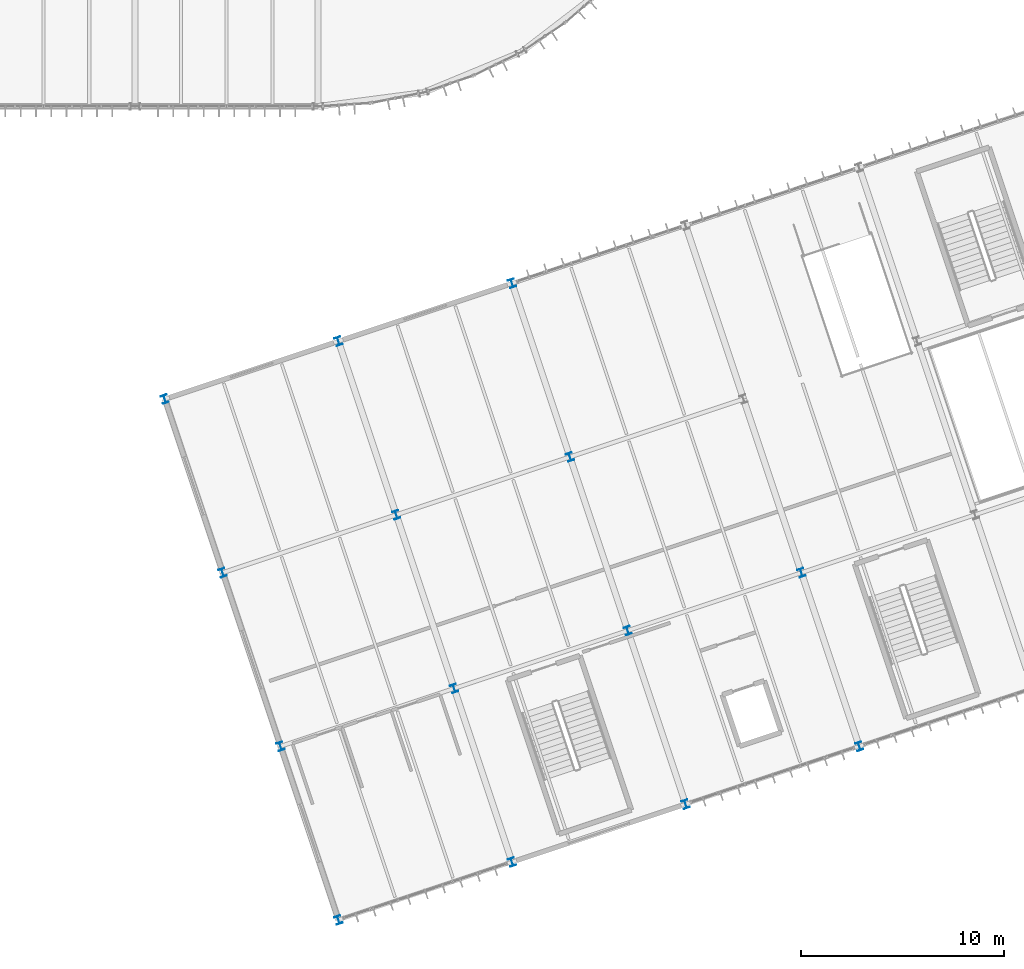
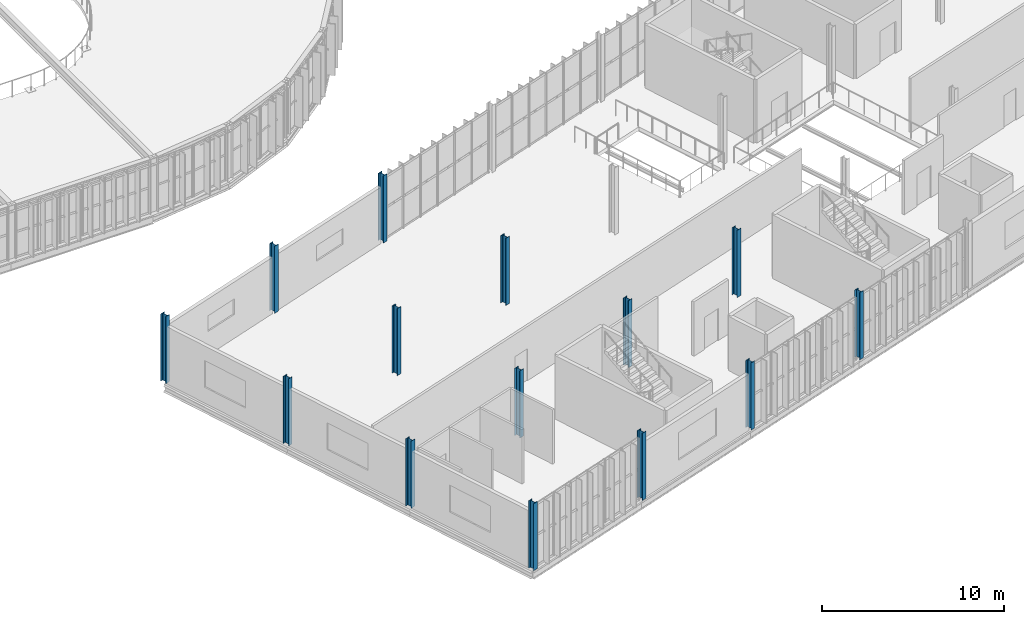
# One storey, part 2 of 152: 14 columns.
"""IFC4 building model written with IfcOpenShell, lengths in metres."""

from ifc_helpers import new_model, si_unit, derived_unit, direction, frame, origin, origin_2d, place, context, subcontext, project, spatial, i_section, extrude, material, material_profile, profile_set, type_object, element, save


model = new_model("IFC4")

# Units and contexts
model_context = context("Model", 3, precision=1e-05, world=origin(), true_north=direction((0.0, 1.0)))
body_context = subcontext(model_context, "Body", "Model", "MODEL_VIEW")
ifc_project = project(units=[si_unit("LENGTHUNIT", "METRE"), si_unit("AREAUNIT", "SQUARE_METRE"), si_unit("VOLUMEUNIT", "CUBIC_METRE"), si_unit("PLANEANGLEUNIT", "RADIAN"), si_unit("MASSUNIT", "GRAM", prefix="KILO"), si_unit("THERMODYNAMICTEMPERATUREUNIT", "KELVIN"), si_unit("TIMEUNIT", "SECOND"), derived_unit("THERMALTRANSMITTANCEUNIT", [(si_unit("MASSUNIT", "GRAM", prefix="KILO"), 1), (si_unit("THERMODYNAMICTEMPERATUREUNIT", "KELVIN"), -1), (si_unit("TIMEUNIT", "SECOND"), -3)])], contexts=[model_context])

# Site, building, storey
site_placement = place(None, origin())
site = spatial("IfcSite", under=ifc_project, at=site_placement, CompositionType="ELEMENT")
building_placement = place(site_placement, origin())
building = spatial("IfcBuilding", under=site, at=building_placement, Name="Cambertide Market Hall", CompositionType="ELEMENT")
storey_placement = place(building_placement, frame((0.0, 0.0, 5.39990234375)))
storey = spatial("IfcBuildingStorey", under=building, at=storey_placement, Name="L02", CompositionType="ELEMENT", Elevation=5.39990234375)

# Columns
ifc_material_1 = material(Name="Steel S355", Category="steel")
ifc_material_profile_1 = material_profile(ifc_material_1, i_section(OverallWidth=0.300048828125, OverallDepth=0.39990234375, WebThickness=0.013427734375, FlangeThickness=0.02392578125, FilletRadius=0.027099609375, at=origin_2d()), Name="HEB 400")
ifc_profile_set_1 = profile_set([ifc_material_profile_1], Name="Steel S355")
column_type_1 = type_object("IfcColumnType", Name="Exterior Steel Column HEB 400", PredefinedType="COLUMN", material=ifc_profile_set_1)
for number, where, z_axis, x_axis, name in (
    (1, (106.0, 12.0, 0.0), (0.0, 0.0, 1.0), (0.94868329805, 0.316227766018, 0.0), "Level 2 Column COL-V3-1-1-L02"),
    (2, (103.154052734375, 20.5380859375, 0.0), (0.0, 0.0, 1.0), (0.94868329805, 0.316227766018, 0.0), "Level 2 Column COL-V3-1-2-L02"),
    (3, (100.307861328125, 29.076416015625, 0.0), (0.0, 0.0, 1.0), (0.94868329805, 0.316227766018, 0.0), "Level 2 Column COL-V3-1-3-L02"),
    (4, (97.4619140625, 37.614501953125, 0.0), (0.0, 0.0, 1.0), (0.94868329805, 0.316227766018, 0.0), "Level 2 Column COL-V3-1-4-L02"),
    (5, (114.5380859375, 14.845947265625, 0.0), (0.0, 0.0, 1.0), (0.94868329805, 0.316227766018, 0.0), "Level 2 Column COL-V3-2-1-L02"),
    (6, (106.0, 40.46044921875, 0.0), (0.0, 0.0, 1.0), (0.94868329805, 0.316227766018, 0.0), "Level 2 Column COL-V3-2-4-L02"),
    (7, (123.076416015625, 17.692138671875, 0.0), (0.0, 0.0, 1.0), (0.94868329805, 0.316227766018, 0.0), "Level 2 Column COL-V3-3-1-L02"),
    (8, (114.5380859375, 43.306640625, 0.0), (0.0, 0.0, 1.0), (0.94868329805, 0.316227766018, 0.0), "Level 2 Column COL-V3-3-4-L02"),
    (9, (131.614501953125, 20.5380859375, 0.0), (0.0, 0.0, 1.0), (0.94868329805, 0.316227766018, 0.0), "Level 2 Column COL-V3-4-1-L02"),
):
    element("IfcColumn", number, at=place(storey_placement, frame(where, z_axis=z_axis, x_axis=x_axis)), inside=storey, type_object=column_type_1, Name=name, PredefinedType="COLUMN", context=body_context, shape_type="SweptSolid", body=[
        extrude(i_section(OverallWidth=0.300048828125, OverallDepth=0.39990234375, WebThickness=0.013427734375, FlangeThickness=0.02392578125, FilletRadius=0.027099609375, at=origin_2d()), origin(), (0.0, 0.0, 1.0), 4.5),
    ])
ifc_material_2 = material(Name="Steel S355", Category="steel")
ifc_material_profile_2 = material_profile(ifc_material_2, i_section(OverallWidth=0.300048828125, OverallDepth=0.39990234375, WebThickness=0.013427734375, FlangeThickness=0.02392578125, FilletRadius=0.027099609375, at=origin_2d()), Name="HEB 400")
ifc_profile_set_2 = profile_set([ifc_material_profile_2], Name="Steel S355")
column_type_2 = type_object("IfcColumnType", Name="Steel Column HEB 400", PredefinedType="COLUMN", material=ifc_profile_set_2)
for number, where, z_axis, x_axis, name in (
    (10, (111.692138671875, 23.38427734375, 0.0), (0.0, 0.0, 1.0), (0.94868329805, 0.316227766018, 0.0), "Level 2 Column COL-V3-2-2-L02"),
    (11, (108.845947265625, 31.92236328125, 0.0), (0.0, 0.0, 1.0), (0.94868329805, 0.316227766018, 0.0), "Level 2 Column COL-V3-2-3-L02"),
    (12, (120.230224609375, 26.230224609375, 0.0), (0.0, 0.0, 1.0), (0.94868329805, 0.316227766018, 0.0), "Level 2 Column COL-V3-3-2-L02"),
    (13, (117.38427734375, 34.768310546875, 0.0), (0.0, 0.0, 1.0), (0.94868329805, 0.316227766018, 0.0), "Level 2 Column COL-V3-3-3-L02"),
    (14, (128.768310546875, 29.076416015625, 0.0), (0.0, 0.0, 1.0), (0.94868329805, 0.316227766018, 0.0), "Level 2 Column COL-V3-4-2-L02"),
):
    element("IfcColumn", number, at=place(storey_placement, frame(where, z_axis=z_axis, x_axis=x_axis)), inside=storey, type_object=column_type_2, Name=name, PredefinedType="COLUMN", context=body_context, shape_type="SweptSolid", body=[
        extrude(i_section(OverallWidth=0.300048828125, OverallDepth=0.39990234375, WebThickness=0.013427734375, FlangeThickness=0.02392578125, FilletRadius=0.027099609375, at=origin_2d()), origin(), (0.0, 0.0, 1.0), 4.5),
    ])

save(model, "model.ifc")
